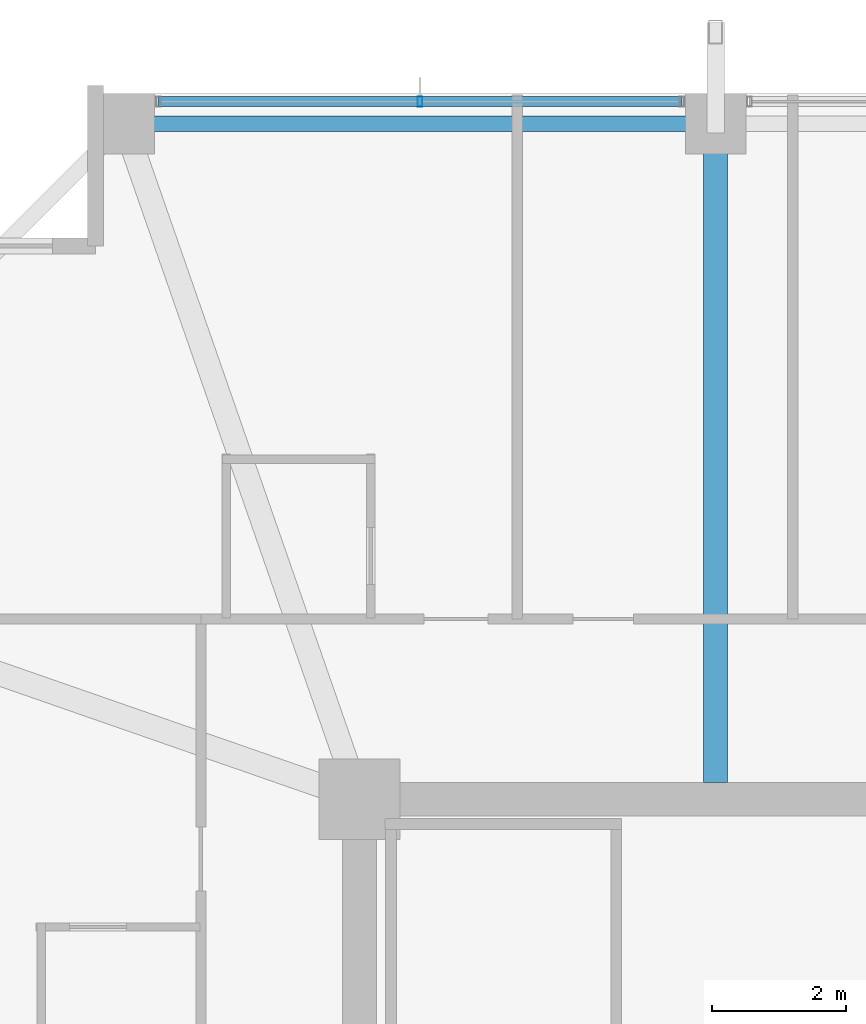
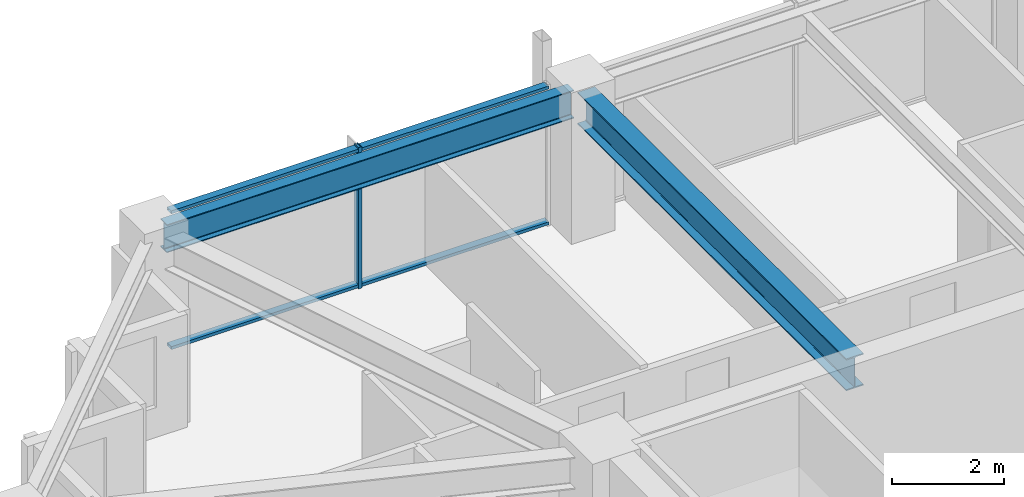
# One storey, part 18 of 35: 3 members, 2 beams, 1 element without a shape of its own.
"""IFC4 building model written with IfcOpenShell, lengths in metres."""

from ifc_helpers import new_model, si_unit, direction, frame, origin, origin_2d, place, context, subcontext, project, spatial, hollow_rectangle, i_section, extrude, material, material_profile, profile_set, type_object, element, aggregate, save


model = new_model("IFC4")

# Units and contexts
model_context = context("Model", 3, precision=1e-05, world=origin(), true_north=direction((0.0, 1.0)))
body_context = subcontext(model_context, "Body", "Model", "MODEL_VIEW")
ifc_project = project(units=[si_unit("LENGTHUNIT", "METRE"), si_unit("AREAUNIT", "SQUARE_METRE"), si_unit("VOLUMEUNIT", "CUBIC_METRE"), si_unit("PLANEANGLEUNIT", "RADIAN"), si_unit("MASSUNIT", "GRAM", prefix="KILO")], contexts=[model_context])

# Site, building, storey
site_placement = place(None, origin())
site = spatial("IfcSite", under=ifc_project, at=site_placement, CompositionType="ELEMENT")
building_placement = place(site_placement, origin())
building = spatial("IfcBuilding", under=site, at=building_placement, Name="Kolvaren Belvedere", CompositionType="ELEMENT")
storey_placement = place(building_placement, frame((0.0, 0.0, 176.699951171875)))
storey = spatial("IfcBuildingStorey", under=building, at=storey_placement, Name="L51", CompositionType="ELEMENT", Elevation=176.699951171875)

# Beams
ifc_material_1 = material(Name="Structural steel ASTM A992 Grade 50", Category="steel")
ifc_material_profile_1 = material_profile(ifc_material_1, i_section(OverallWidth=0.35498046875, OverallDepth=0.696044921875, WebThickness=0.015380859375, FlangeThickness=0.02490234375, FilletRadius=0.02197265625, at=origin_2d()), Name="W27X146")
ifc_profile_set_1 = profile_set([ifc_material_profile_1], Name="Structural steel ASTM A992 Grade 50")
beam_type_1 = type_object("IfcBeamType", Name="BM-GIRD-W27X146", PredefinedType="BEAM", material=ifc_profile_set_1)
beam_1_placement = place(storey_placement, frame((-4.60009765625, 10.14990234375, 2.73193359375), z_axis=(0.0, 1.0, 0.0), x_axis=(-1.0, 0.0, 0.0)))
element("IfcBeam", 1, at=beam_1_placement, inside=storey, type_object=beam_type_1, Name="L51 North Radial Girder M", PredefinedType="BEAM", context=body_context, shape_type="SweptSolid", body=[
    extrude(i_section(OverallWidth=0.35498046875, OverallDepth=0.696044921875, WebThickness=0.015380859375, FlangeThickness=0.02490234375, FilletRadius=0.02197265625, at=origin_2d()), origin(), (0.0, 0.0, 1.0), 9.59765625),
])
ifc_material_2 = material(Name="Structural steel ASTM A992 Grade 50", Category="steel")
ifc_material_profile_2 = material_profile(ifc_material_2, i_section(OverallWidth=0.22900390625, OverallDepth=0.612060546875, WebThickness=0.011962890625, FlangeThickness=0.01953125, FilletRadius=0.01806640625, at=origin_2d()), Name="W24X84")
ifc_profile_set_2 = profile_set([ifc_material_profile_2], Name="Structural steel ASTM A992 Grade 50")
beam_type_2 = type_object("IfcBeamType", Name="BM-SPAN-W24X84", PredefinedType="SPANDREL", material=ifc_profile_set_2)
beam_2_placement = place(storey_placement, frame((-4.802490234375, 19.949951171875, 2.774169921875), z_axis=(-1.0, 0.0, 0.0), x_axis=(0.0, -1.0, 0.0)))
element("IfcBeam", 2, at=beam_2_placement, inside=storey, type_object=beam_type_2, Name="L51 Perimeter Spandrel N2-N1", PredefinedType="SPANDREL", context=body_context, shape_type="SweptSolid", body=[
    extrude(i_section(OverallWidth=0.22900390625, OverallDepth=0.612060546875, WebThickness=0.011962890625, FlangeThickness=0.01953125, FilletRadius=0.01806640625, at=origin_2d()), origin(), (0.0, 0.0, 1.0), 8.39501953125),
])

# Curtain wall, members
ifc_material_3 = material(Name="Anodised pale-metal aluminium AA 6063-T6", Category="aluminium")
curtain_wall_type = type_object("IfcCurtainWallType", Name="CW-Z5-HIGH", PredefinedType="NOTDEFINED", material=ifc_material_3)
curtain_wall_placement = place(storey_placement, origin())
curtain_wall = element("IfcCurtainWall", 3, at=curtain_wall_placement, inside=storey, type_object=curtain_wall_type, Name="L51 Unitised Curtain Wall FCW-L51-N-B1", PredefinedType="NOTDEFINED")
ifc_material_4 = material(Name="Anodised pale-metal aluminium AA 6063-T6", Category="aluminium")
ifc_material_profile_3 = material_profile(ifc_material_4, hollow_rectangle(XDim=0.070068359375, YDim=0.14990234375, WallThickness=0.004150390625, at=origin_2d()), Name="ALU-MUL-150X70")
ifc_profile_set_3 = profile_set([ifc_material_profile_3], Name="Anodised pale-metal aluminium AA 6063-T6")
member_type_1 = type_object("IfcMemberType", Name="CW-MUL-150", PredefinedType="MULLION", material=ifc_profile_set_3)
member_1_placement = place(storey_placement, frame((-9.0, 20.280029296875, 0.0), z_axis=(0.0, 0.0, 1.0), x_axis=(1.0, 0.0, 0.0)))
member_1 = element("IfcMember", 4, at=member_1_placement, type_object=member_type_1, Name="FCW-L51-N-B1 Unitised Mullion 2", PredefinedType="MULLION", context=body_context, shape_type="SweptSolid", body=[
    extrude(hollow_rectangle(XDim=0.070068359375, YDim=0.14990234375, WallThickness=0.004150390625, at=origin_2d()), origin(), (0.0, 0.0, 1.0), 3.080078125),
])
ifc_material_5 = material(Name="Anodised pale-metal aluminium AA 6063-T6", Category="aluminium")
ifc_material_profile_4 = material_profile(ifc_material_5, hollow_rectangle(XDim=0.06494140625, YDim=0.14990234375, WallThickness=0.00390625, at=origin_2d()), Name="ALU-TRN-150X65")
ifc_profile_set_4 = profile_set([ifc_material_profile_4], Name="Anodised pale-metal aluminium AA 6063-T6")
member_type_2 = type_object("IfcMemberType", Name="CW-TRN-150", PredefinedType="USERDEFINED", material=ifc_profile_set_4)
member_2_placement = place(storey_placement, frame((-12.89501953125, 20.280029296875, 0.06005859375), z_axis=(1.0, 0.0, 0.0), x_axis=(0.0, 0.0, 1.0)))
member_2 = element("IfcMember", 5, at=member_2_placement, type_object=member_type_2, Name="FCW-L51-N-B1 Sill Transom", ObjectType="TRANSOM", PredefinedType="USERDEFINED", context=body_context, shape_type="SweptSolid", body=[
    extrude(hollow_rectangle(XDim=0.06494140625, YDim=0.14990234375, WallThickness=0.00390625, at=origin_2d()), origin(), (0.0, 0.0, 1.0), 7.7900390625),
])
member_3_placement = place(storey_placement, frame((-12.89501953125, 20.280029296875, 3.02001953125), z_axis=(1.0, 0.0, 0.0), x_axis=(0.0, 0.0, 1.0)))
member_3 = element("IfcMember", 6, at=member_3_placement, type_object=member_type_2, Name="FCW-L51-N-B1 Head Transom", ObjectType="TRANSOM", PredefinedType="USERDEFINED", context=body_context, shape_type="SweptSolid", body=[
    extrude(hollow_rectangle(XDim=0.06494140625, YDim=0.14990234375, WallThickness=0.00390625, at=origin_2d()), origin(), (0.0, 0.0, 1.0), 7.7900390625),
])
aggregate(curtain_wall, [member_1, member_2, member_3])

save(model, "model.ifc")
